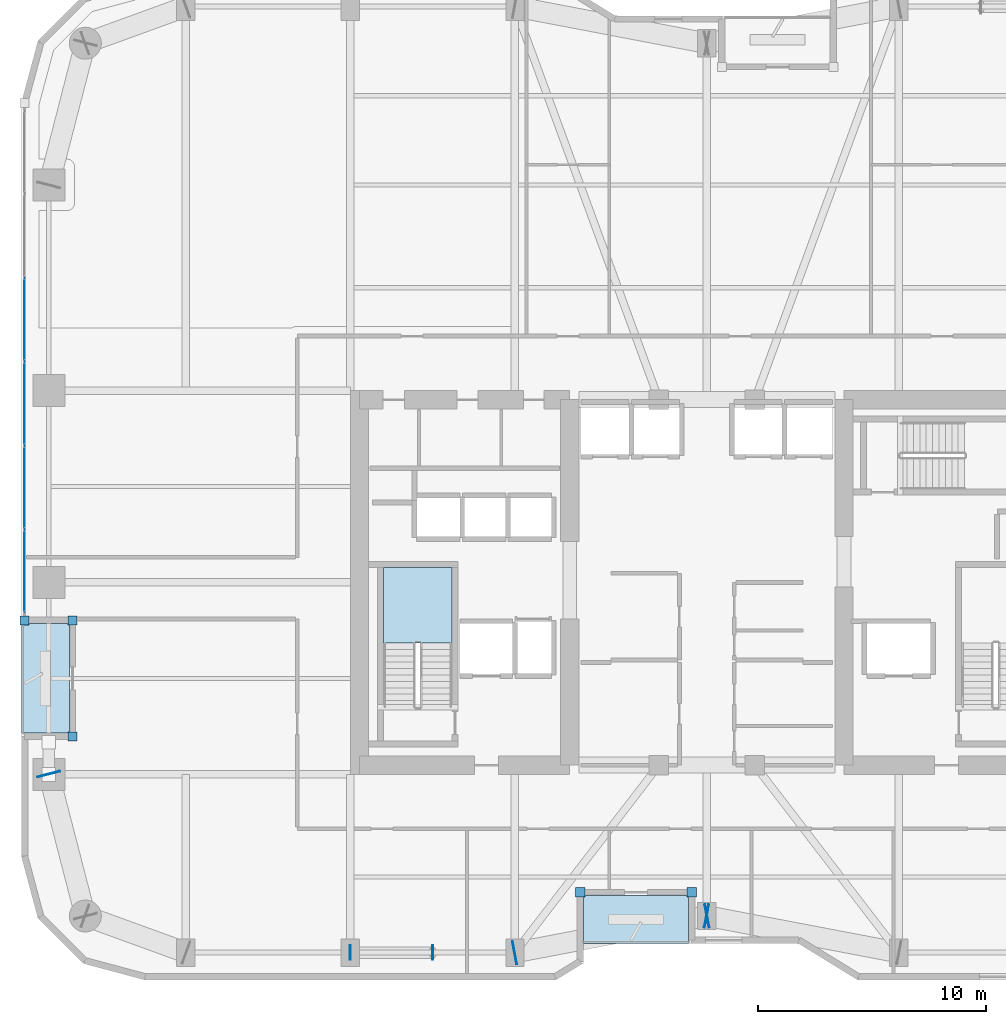
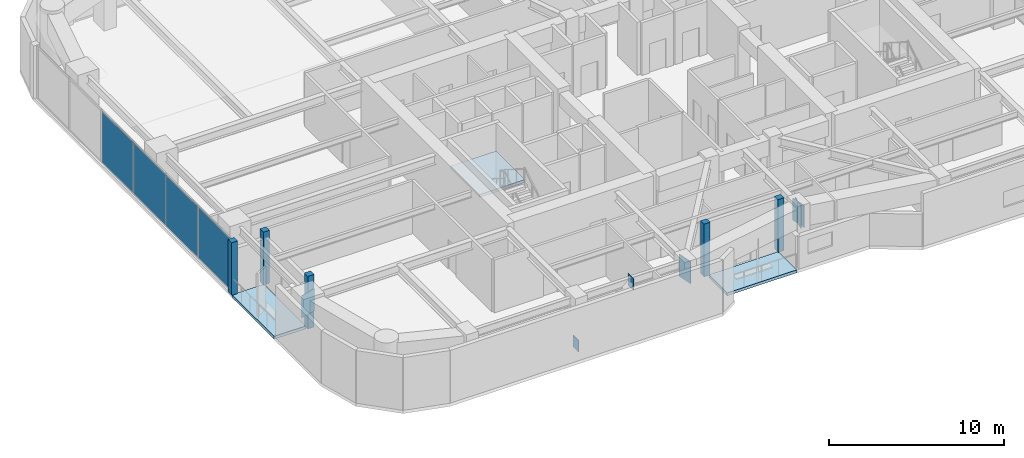
# One storey, part 21 of 30: 15 plates, 3 slabs, 2 elements without a shape of their own.
"""IFC4 building model written with IfcOpenShell, lengths in metres."""

from ifc_helpers import new_model, si_unit, direction, frame, origin, origin_2d, place, context, subcontext, project, spatial, polyline, rectangle, outline, extrude, material, layer, layer_set, type_object, element, aggregate, save


model = new_model("IFC4")

# Units and contexts
model_context = context("Model", 3, precision=1e-05, world=origin(), true_north=direction((0.0, 1.0)))
body_context = subcontext(model_context, "Body", "Model", "MODEL_VIEW")
ifc_project = project(units=[si_unit("LENGTHUNIT", "METRE"), si_unit("AREAUNIT", "SQUARE_METRE"), si_unit("VOLUMEUNIT", "CUBIC_METRE"), si_unit("PLANEANGLEUNIT", "RADIAN"), si_unit("MASSUNIT", "GRAM", prefix="KILO")], contexts=[model_context])

# Site, building, storey
site_placement = place(None, origin())
site = spatial("IfcSite", under=ifc_project, at=site_placement, CompositionType="ELEMENT")
building_placement = place(site_placement, origin())
building = spatial("IfcBuilding", under=site, at=building_placement, Name="Kiyonajd Concourse Tower", CompositionType="ELEMENT")
storey_placement = place(building_placement, frame((0.0, 0.0, 154.5)))
storey = spatial("IfcBuildingStorey", under=building, at=storey_placement, Name="L39", CompositionType="ELEMENT", Elevation=154.5)

# Plates
ifc_material_1 = material(Name="Steel ASTM A572 Grade 50", Category="steel")
ifc_layer_1 = layer(ifc_material_1, 0.028076171875)
ifc_layer_set_1 = layer_set([ifc_layer_1], Name="Steel ASTM A572 Grade 50")
plate_type_1 = type_object("IfcPlateType", Name="PL-CAP-450", PredefinedType="USERDEFINED", material=ifc_layer_set_1)
for number, where, z_axis, x_axis, name in (
    (1, (32.3916015625, 19.800048828125, -0.10888671875), (0.0, 0.0, 1.0), (-1.0, 0.0, 0.0), "L39 Hollow Brace End Cap Plate PBS"),
    (2, (36.00830078125, 19.800048828125, 2.93505859375), (0.0, 0.0, 1.0), (1.0, 0.0, 0.0), "L39 Hollow Brace Top Cap Plate PBS"),
):
    element("IfcPlate", number, at=place(storey_placement, frame(where, z_axis=z_axis, x_axis=x_axis)), inside=storey, type_object=plate_type_1, Name=name, ObjectType="CAP PLATE", PredefinedType="USERDEFINED", context=body_context, shape_type="SweptSolid", body=[
        extrude(rectangle(XDim=0.035888671875, YDim=0.6279296875, at=origin_2d()), origin(), (0.0, 0.0, 1.0), 0.803955078125),
    ])
ifc_layer_2 = layer(ifc_material_1, 0.031982421875)
ifc_layer_set_2 = layer_set([ifc_layer_2], Name="Steel ASTM A572 Grade 50")
plate_type_2 = type_object("IfcPlateType", Name="PL-CAP-540", PredefinedType="USERDEFINED", material=ifc_layer_set_2)
for number, where, z_axis, x_axis, name in (
    (3, (19.197265625, 27.610595703125, 2.2099609375), (0.0, 0.0, 1.0), (-0.249873048837, 0.968278606324, 0.0), "L39 Welded Box Girder End Cap"),
    (4, (39.589111328125, 19.7978515625, 2.2099609375), (0.0, 0.0, 1.0), (-0.982352599301, -0.187038420242, 0.0), "L39 Welded Box Girder End Cap"),
    (5, (48.0107421875, 21.402099609375, 2.2099609375), (0.0, 0.0, 1.0), (0.982352599301, 0.187038420242, 0.0), "L39 Welded Box Girder End Cap"),
    (6, (47.9892578125, 21.402099609375, 2.2099609375), (0.0, 0.0, 1.0), (-0.982352599301, 0.187038420242, 0.0), "L39 Welded Box Girder End Cap"),
):
    element("IfcPlate", number, at=place(storey_placement, frame(where, z_axis=z_axis, x_axis=x_axis)), inside=storey, type_object=plate_type_2, Name=name, ObjectType="CAP PLATE", PredefinedType="USERDEFINED", context=body_context, shape_type="SweptSolid", body=[
        extrude(rectangle(XDim=0.035888671875, YDim=1.02001953125, at=origin_2d()), origin(), (0.0, 0.0, 1.0), 1.5400390625),
    ])

# Curtain wall, plates
ifc_material_2 = material(Name="Thermally Broken Anodised Aluminium", Category="aluminium")
ifc_layer_3 = layer(ifc_material_2, 0.179931640625)
ifc_layer_set_3 = layer_set([ifc_layer_3], Name="Thermally Broken Anodised Aluminium")
curtain_wall_type = type_object("IfcCurtainWallType", Name="CW-SYS-03", PredefinedType="NOTDEFINED", material=ifc_layer_set_3)
curtain_wall_placement = place(storey_placement, origin())
curtain_wall = element("IfcCurtainWall", 7, at=curtain_wall_placement, inside=storey, type_object=curtain_wall_type, Name="L39 Unitised Curtain Wall CW3", PredefinedType="NOTDEFINED")
ifc_material_3 = material(Name="Double Low-E Insulated Glass", Category="glass")
ifc_layer_4 = layer(ifc_material_3, 0.033935546875)
ifc_layer_set_4 = layer_set([ifc_layer_4], Name="Double Low-E Insulated Glass")
plate_type_3 = type_object("IfcPlateType", Name="PL-CW-VIS34", PredefinedType="CURTAIN_PANEL", material=ifc_layer_set_4)
plate_1_placement = place(storey_placement, frame((18.139892578125, 36.484619140625, 0.06494140625), z_axis=(0.0, 0.0, 1.0), x_axis=(0.0, 1.0, 0.0)))
plate_1 = element("IfcPlate", 8, at=plate_1_placement, type_object=plate_type_3, Name="CW3 panel 1.1", PredefinedType="CURTAIN_PANEL", context=body_context, shape_type="SweptSolid", body=[
    extrude(rectangle(XDim=3.579345703125, YDim=0.033935546875, at=origin_2d()), origin(), (0.0, 0.0, 1.0), 3.550048828125),
])
plate_2_placement = place(storey_placement, frame((18.139892578125, 40.1455078125, 0.06494140625), z_axis=(0.0, 0.0, 1.0), x_axis=(0.0, 1.0, 0.0)))
plate_2 = element("IfcPlate", 9, at=plate_2_placement, type_object=plate_type_3, Name="CW3 panel 2.1", PredefinedType="CURTAIN_PANEL", context=body_context, shape_type="SweptSolid", body=[
    extrude(rectangle(XDim=3.61181640625, YDim=0.033935546875, at=origin_2d()), origin(), (0.0, 0.0, 1.0), 3.550048828125),
])
plate_3_placement = place(storey_placement, frame((18.139892578125, 43.822265625, 0.06494140625), z_axis=(0.0, 0.0, 1.0), x_axis=(0.0, 1.0, 0.0)))
plate_3 = element("IfcPlate", 10, at=plate_3_placement, type_object=plate_type_3, Name="CW3 panel 3.1", PredefinedType="CURTAIN_PANEL", context=body_context, shape_type="SweptSolid", body=[
    extrude(rectangle(XDim=3.61181640625, YDim=0.033935546875, at=origin_2d()), origin(), (0.0, 0.0, 1.0), 3.550048828125),
])
plate_4_placement = place(storey_placement, frame((18.139892578125, 47.499267578125, 0.06494140625), z_axis=(0.0, 0.0, 1.0), x_axis=(0.0, 1.0, 0.0)))
plate_4 = element("IfcPlate", 11, at=plate_4_placement, type_object=plate_type_3, Name="CW3 panel 4.1", PredefinedType="CURTAIN_PANEL", context=body_context, shape_type="SweptSolid", body=[
    extrude(rectangle(XDim=3.61181640625, YDim=0.033935546875, at=origin_2d()), origin(), (0.0, 0.0, 1.0), 3.550048828125),
])
aggregate(curtain_wall, [plate_1, plate_2, plate_3, plate_4])

# Plates
ifc_layer_5 = layer(ifc_material_2, 0.39990234375)
ifc_layer_set_5 = layer_set([ifc_layer_5], Name="Thermally Broken Anodised Aluminium")
plate_type_4 = type_object("IfcPlateType", Name="PL-JMB-400", PredefinedType="USERDEFINED", material=ifc_layer_set_5)
for number, where, z_axis, x_axis, name in (
    (12, (20.239990234375, 29.260009765625, 0.0), (0.0, 0.0, 1.0), (1.0, 0.0, 0.0), "L39 Facade Jamb Closure Plate 01"),
    (13, (20.239990234375, 34.340087890625, 0.0), (0.0, 0.0, 1.0), (1.0, 0.0, 0.0), "L39 Facade Jamb Closure Plate 02"),
    (14, (18.139892578125, 34.340087890625, 0.0), (0.0, 0.0, 1.0), (1.0, 0.0, 0.0), "L39 Facade Jamb Closure Plate 03"),
    (15, (47.340087890625, 22.43994140625, 0.0), (0.0, 0.0, 1.0), (1.0, 0.0, 0.0), "L39 Facade Jamb Closure Plate 13"),
    (16, (42.4599609375, 22.43994140625, 0.0), (0.0, 0.0, 1.0), (1.0, 0.0, 0.0), "L39 Facade Jamb Closure Plate 14"),
):
    element("IfcPlate", number, at=place(storey_placement, frame(where, z_axis=z_axis, x_axis=x_axis)), inside=storey, type_object=plate_type_4, Name=name, ObjectType="JAMB PLATE", PredefinedType="USERDEFINED", context=body_context, shape_type="SweptSolid", body=[
        extrude(rectangle(XDim=0.39990234375, YDim=0.39990234375, at=origin_2d()), origin(), (0.0, 0.0, 1.0), 3.679931640625),
    ])

# Stair, slab
ifc_material_4 = material(Name="Concrete C40/50", Category="concrete")
stair_type = type_object("IfcStairType", Name="ST-DLG-22R", PredefinedType="HALF_TURN_STAIR", material=ifc_material_4)
stair_placement = place(storey_placement, origin())
stair = element("IfcStair", 17, at=stair_placement, inside=storey, type_object=stair_type, Name="L39 Protected Exit Stair ST1", PredefinedType="HALF_TURN_STAIR")
ifc_layer_6 = layer(ifc_material_4, 0.199951171875)
ifc_layer_set_6 = layer_set([ifc_layer_6], Name="Concrete C40/50")
slab_type_1 = type_object("IfcSlabType", Name="SL-LND-200", PredefinedType="LANDING", material=ifc_layer_set_6)
slab_1_placement = place(storey_placement, frame((0.0, 0.0, 1.75)))
slab_1 = element("IfcSlab", 18, at=slab_1_placement, type_object=slab_type_1, Name="ST1 landing 1", PredefinedType="LANDING", context=body_context, shape_type="SweptSolid", body=[
    extrude(outline(polyline([(36.85009765625, 33.35009765625), (36.85009765625, 36.64990234375), (33.85009765625, 36.64990234375), (33.85009765625, 33.35009765625), (36.85009765625, 33.35009765625)])), origin(), (0.0, 0.0, 1.0), 0.199951171875),
])
aggregate(stair, [slab_1])

# Slabs
ifc_material_5 = material(Name="Precast concrete C50/60", Category="concrete")
ifc_layer_7 = layer(ifc_material_5, 0.199951171875)
ifc_layer_set_7 = layer_set([ifc_layer_7], Name="Precast concrete C50/60")
slab_type_2 = type_object("IfcSlabType", Name="SL-LOG-200", PredefinedType="FLOOR", material=ifc_layer_set_7)
slab_2_placement = place(storey_placement, frame((0.0, 0.0, -0.199951171875)))
element("IfcSlab", 19, at=slab_2_placement, inside=storey, type_object=slab_type_2, Name="L39 Recessed Engawa Loggia Terrace Slab LOG-S", PredefinedType="FLOOR", context=body_context, shape_type="SweptSolid", body=[
    extrude(outline(polyline([(42.60009765625, 20.199951171875), (47.199951171875, 20.199951171875), (47.199951171875, 22.300048828125), (42.60009765625, 22.300048828125), (42.60009765625, 20.199951171875)])), origin(), (0.0, 0.0, 1.0), 0.199951171875),
])
slab_3_placement = place(storey_placement, frame((0.0, 0.0, -0.199951171875)))
element("IfcSlab", 20, at=slab_3_placement, inside=storey, type_object=slab_type_2, Name="L39 Recessed Engawa Loggia Terrace Slab LOG-W", PredefinedType="FLOOR", context=body_context, shape_type="SweptSolid", body=[
    extrude(outline(polyline([(18.0, 29.39990234375), (20.10009765625, 29.39990234375), (20.10009765625, 34.199951171875), (18.0, 34.199951171875), (18.0, 29.39990234375)])), origin(), (0.0, 0.0, 1.0), 0.199951171875),
])

save(model, "model.ifc")
